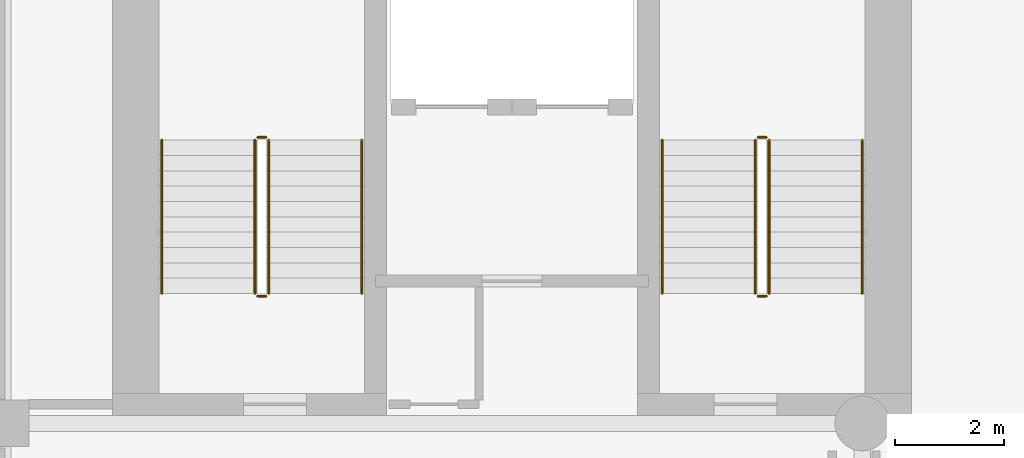
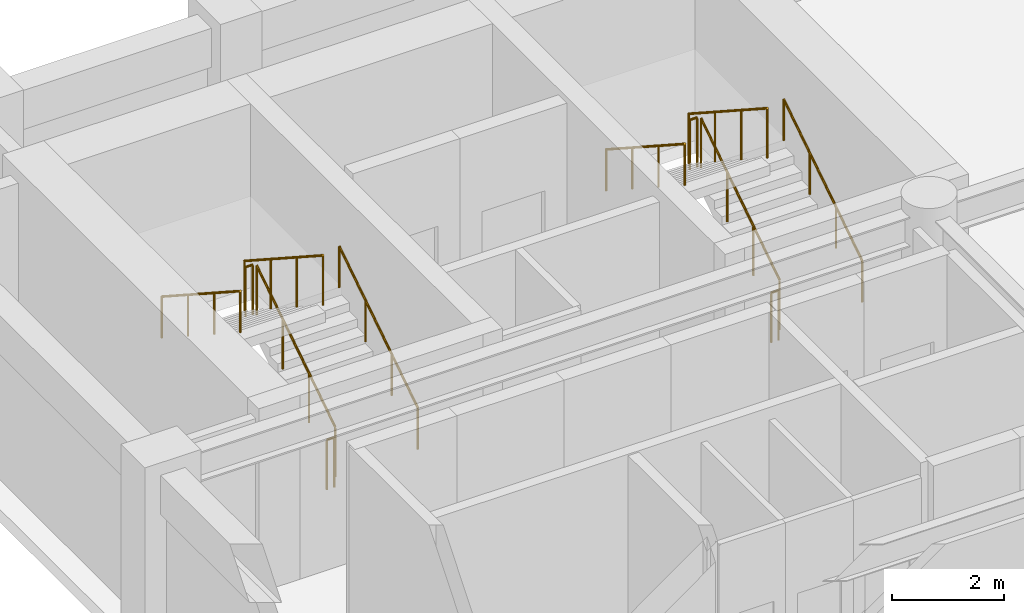
# One storey, part 7 of 8: 12 railings.
"""IFC4 building model written with IfcOpenShell, lengths in metres."""

from ifc_helpers import new_model, si_unit, direction, frame, origin, origin_2d, place, context, subcontext, project, spatial, circle, extrude, material, type_object, element, save


model = new_model("IFC4")

# Units and contexts
model_context = context("Model", 3, precision=1e-05, world=origin(), true_north=direction((0.0, 1.0)))
body_context = subcontext(model_context, "Body", "Model", "MODEL_VIEW")
ifc_project = project(units=[si_unit("LENGTHUNIT", "METRE"), si_unit("AREAUNIT", "SQUARE_METRE"), si_unit("VOLUMEUNIT", "CUBIC_METRE"), si_unit("PLANEANGLEUNIT", "RADIAN"), si_unit("MASSUNIT", "GRAM", prefix="KILO")], contexts=[model_context])

# Site, building, storey
site_placement = place(None, origin())
site = spatial("IfcSite", under=ifc_project, at=site_placement, CompositionType="ELEMENT")
building_placement = place(site_placement, origin())
building = spatial("IfcBuilding", under=site, at=building_placement, Name="Sulina Concourse Tower", CompositionType="ELEMENT")
storey_placement = place(building_placement, frame((0.0, 0.0, 108.60009765625)))
storey = spatial("IfcBuildingStorey", under=building, at=storey_placement, Name="L26", CompositionType="ELEMENT", Elevation=108.60009765625)

# Railings
ifc_material_1 = material(Name="Galvanised steel railing", Category="steel")
railing_type_1 = type_object("IfcRailingType", Name="Core Stair Steel Guardrail 1150mm", PredefinedType="GUARDRAIL", material=ifc_material_1)
railing_1_placement = place(storey_placement, frame((5.554931640625, 36.375, 0.181640625)))
element("IfcRailing", 1, at=railing_1_placement, inside=storey, type_object=railing_type_1, Name="L26 ST-1 stair guard 1", PredefinedType="GUARDRAIL", context=body_context, shape_type="SweptSolid", body=[
    extrude(circle(Radius=0.02392578125, at=origin_2d()), frame((0.0, 0.0, 1.076171875), z_axis=(0.0, 0.838672427954, 0.544636170843), x_axis=(-1.0, 0.0, 0.0)), (0.0, 0.0, 1.0), 3.338623046875),
    extrude(circle(Radius=0.02099609375, at=origin_2d()), origin(), (0.0, 0.0, 1.0), 1.052001953125),
    extrude(circle(Radius=0.02099609375, at=origin_2d()), frame((0.0, 0.933349609375, 0.606201171875)), (0.0, 0.0, 1.0), 1.052001953125),
    extrude(circle(Radius=0.02099609375, at=origin_2d()), frame((0.0, 1.86669921875, 1.212158203125)), (0.0, 0.0, 1.0), 1.052001953125),
    extrude(circle(Radius=0.02099609375, at=origin_2d()), frame((0.0, 2.800048828125, 1.818359375)), (0.0, 0.0, 1.0), 1.052001953125),
])
railing_2_placement = place(storey_placement, frame((5.5048828125, 39.22509765625, 2.0)))
element("IfcRailing", 2, at=railing_2_placement, inside=storey, type_object=railing_type_1, Name="L26 ST-1 stair guard 2", PredefinedType="GUARDRAIL", context=body_context, shape_type="SweptSolid", body=[
    extrude(circle(Radius=0.02392578125, at=origin_2d()), frame((0.0, 0.0, 1.076171875), z_axis=(-1.0, 0.0, 0.0), x_axis=(0.0, -1.0, 0.0)), (0.0, 0.0, 1.0), 0.14990234375),
    extrude(circle(Radius=0.02099609375, at=origin_2d()), origin(), (0.0, 0.0, 1.0), 1.052001953125),
    extrude(circle(Radius=0.02099609375, at=origin_2d()), frame((-0.14990234375, 0.0, 0.0)), (0.0, 0.0, 1.0), 1.052001953125),
])
railing_3_placement = place(storey_placement, frame((5.304931640625, 39.175048828125, 2.181640625)))
element("IfcRailing", 3, at=railing_3_placement, inside=storey, type_object=railing_type_1, Name="L26 ST-1 stair guard 3", PredefinedType="GUARDRAIL", context=body_context, shape_type="SweptSolid", body=[
    extrude(circle(Radius=0.02392578125, at=origin_2d()), frame((0.0, 0.0, 1.076171875), z_axis=(0.0, -0.838672427954, 0.544636170843), x_axis=(1.0, 0.0, 0.0)), (0.0, 0.0, 1.0), 3.338623046875),
    extrude(circle(Radius=0.02099609375, at=origin_2d()), origin(), (0.0, 0.0, 1.0), 1.052001953125),
    extrude(circle(Radius=0.02099609375, at=origin_2d()), frame((0.0, -0.933349609375, 0.606201171875)), (0.0, 0.0, 1.0), 1.052001953125),
    extrude(circle(Radius=0.02099609375, at=origin_2d()), frame((0.0, -1.86669921875, 1.212158203125)), (0.0, 0.0, 1.0), 1.052001953125),
    extrude(circle(Radius=0.02099609375, at=origin_2d()), frame((0.0, -2.800048828125, 1.818359375)), (0.0, 0.0, 1.0), 1.052001953125),
])
railing_4_placement = place(storey_placement, frame((5.5048828125, 36.324951171875, 0.0)))
element("IfcRailing", 4, at=railing_4_placement, inside=storey, type_object=railing_type_1, Name="L26 ST-1 stair guard 4", PredefinedType="GUARDRAIL", context=body_context, shape_type="SweptSolid", body=[
    extrude(circle(Radius=0.02392578125, at=origin_2d()), frame((0.0, 0.0, 1.076171875), z_axis=(-1.0, 0.0, 0.0), x_axis=(0.0, -1.0, 0.0)), (0.0, 0.0, 1.0), 0.14990234375),
    extrude(circle(Radius=0.02099609375, at=origin_2d()), origin(), (0.0, 0.0, 1.0), 1.052001953125),
    extrude(circle(Radius=0.02099609375, at=origin_2d()), frame((-0.14990234375, 0.0, 0.0)), (0.0, 0.0, 1.0), 1.052001953125),
])
railing_5_placement = place(storey_placement, frame((14.695068359375, 36.375, 0.181640625)))
element("IfcRailing", 5, at=railing_5_placement, inside=storey, type_object=railing_type_1, Name="L26 ST-2 stair guard 1", PredefinedType="GUARDRAIL", context=body_context, shape_type="SweptSolid", body=[
    extrude(circle(Radius=0.02392578125, at=origin_2d()), frame((0.0, 0.0, 1.076171875), z_axis=(0.0, 0.838672427954, 0.544636170843), x_axis=(-1.0, 0.0, 0.0)), (0.0, 0.0, 1.0), 3.338623046875),
    extrude(circle(Radius=0.02099609375, at=origin_2d()), origin(), (0.0, 0.0, 1.0), 1.052001953125),
    extrude(circle(Radius=0.02099609375, at=origin_2d()), frame((0.0, 0.933349609375, 0.606201171875)), (0.0, 0.0, 1.0), 1.052001953125),
    extrude(circle(Radius=0.02099609375, at=origin_2d()), frame((0.0, 1.86669921875, 1.212158203125)), (0.0, 0.0, 1.0), 1.052001953125),
    extrude(circle(Radius=0.02099609375, at=origin_2d()), frame((0.0, 2.800048828125, 1.818359375)), (0.0, 0.0, 1.0), 1.052001953125),
])
railing_6_placement = place(storey_placement, frame((14.64501953125, 39.22509765625, 2.0)))
element("IfcRailing", 6, at=railing_6_placement, inside=storey, type_object=railing_type_1, Name="L26 ST-2 stair guard 2", PredefinedType="GUARDRAIL", context=body_context, shape_type="SweptSolid", body=[
    extrude(circle(Radius=0.02392578125, at=origin_2d()), frame((0.0, 0.0, 1.076171875), z_axis=(-1.0, 0.0, 0.0), x_axis=(0.0, -1.0, 0.0)), (0.0, 0.0, 1.0), 0.14990234375),
    extrude(circle(Radius=0.02099609375, at=origin_2d()), origin(), (0.0, 0.0, 1.0), 1.052001953125),
    extrude(circle(Radius=0.02099609375, at=origin_2d()), frame((-0.14990234375, 0.0, 0.0)), (0.0, 0.0, 1.0), 1.052001953125),
])
railing_7_placement = place(storey_placement, frame((14.445068359375, 39.175048828125, 2.181640625)))
element("IfcRailing", 7, at=railing_7_placement, inside=storey, type_object=railing_type_1, Name="L26 ST-2 stair guard 3", PredefinedType="GUARDRAIL", context=body_context, shape_type="SweptSolid", body=[
    extrude(circle(Radius=0.02392578125, at=origin_2d()), frame((0.0, 0.0, 1.076171875), z_axis=(0.0, -0.838672427954, 0.544636170843), x_axis=(1.0, 0.0, 0.0)), (0.0, 0.0, 1.0), 3.338623046875),
    extrude(circle(Radius=0.02099609375, at=origin_2d()), origin(), (0.0, 0.0, 1.0), 1.052001953125),
    extrude(circle(Radius=0.02099609375, at=origin_2d()), frame((0.0, -0.933349609375, 0.606201171875)), (0.0, 0.0, 1.0), 1.052001953125),
    extrude(circle(Radius=0.02099609375, at=origin_2d()), frame((0.0, -1.86669921875, 1.212158203125)), (0.0, 0.0, 1.0), 1.052001953125),
    extrude(circle(Radius=0.02099609375, at=origin_2d()), frame((0.0, -2.800048828125, 1.818359375)), (0.0, 0.0, 1.0), 1.052001953125),
])
railing_8_placement = place(storey_placement, frame((14.64501953125, 36.324951171875, 0.0)))
element("IfcRailing", 8, at=railing_8_placement, inside=storey, type_object=railing_type_1, Name="L26 ST-2 stair guard 4", PredefinedType="GUARDRAIL", context=body_context, shape_type="SweptSolid", body=[
    extrude(circle(Radius=0.02392578125, at=origin_2d()), frame((0.0, 0.0, 1.076171875), z_axis=(-1.0, 0.0, 0.0), x_axis=(0.0, -1.0, 0.0)), (0.0, 0.0, 1.0), 0.14990234375),
    extrude(circle(Radius=0.02099609375, at=origin_2d()), origin(), (0.0, 0.0, 1.0), 1.052001953125),
    extrude(circle(Radius=0.02099609375, at=origin_2d()), frame((-0.14990234375, 0.0, 0.0)), (0.0, 0.0, 1.0), 1.052001953125),
])
ifc_material_2 = material(Name="Galvanised steel railing", Category="steel")
railing_type_2 = type_object("IfcRailingType", Name="Stair Wall Steel Handrail 920mm", PredefinedType="HANDRAIL", material=ifc_material_2)
railing_9_placement = place(storey_placement, frame((7.2548828125, 36.375, 0.181640625)))
element("IfcRailing", 9, at=railing_9_placement, inside=storey, type_object=railing_type_2, Name="L26 ST-1 stair handrail 1", PredefinedType="HANDRAIL", context=body_context, shape_type="SweptSolid", body=[
    extrude(circle(Radius=0.02392578125, at=origin_2d()), frame((0.0, 0.0, 0.89599609375), z_axis=(0.0, 0.838672427954, 0.544636170843), x_axis=(-1.0, 0.0, 0.0)), (0.0, 0.0, 1.0), 3.338623046875),
    extrude(circle(Radius=0.02099609375, at=origin_2d()), origin(), (0.0, 0.0, 1.0), 0.871826171875),
    extrude(circle(Radius=0.02099609375, at=origin_2d()), frame((0.0, 0.933349609375, 0.606201171875)), (0.0, 0.0, 1.0), 0.871826171875),
    extrude(circle(Radius=0.02099609375, at=origin_2d()), frame((0.0, 1.86669921875, 1.212158203125)), (0.0, 0.0, 1.0), 0.871826171875),
    extrude(circle(Radius=0.02099609375, at=origin_2d()), frame((0.0, 2.800048828125, 1.818359375)), (0.0, 0.0, 1.0), 0.871826171875),
])
railing_10_placement = place(storey_placement, frame((3.60498046875, 39.175048828125, 2.181640625)))
element("IfcRailing", 10, at=railing_10_placement, inside=storey, type_object=railing_type_2, Name="L26 ST-1 stair handrail 2", PredefinedType="HANDRAIL", context=body_context, shape_type="SweptSolid", body=[
    extrude(circle(Radius=0.02392578125, at=origin_2d()), frame((0.0, 0.0, 0.89599609375), z_axis=(0.0, -0.838672427954, 0.544636170843), x_axis=(1.0, 0.0, 0.0)), (0.0, 0.0, 1.0), 3.338623046875),
    extrude(circle(Radius=0.02099609375, at=origin_2d()), origin(), (0.0, 0.0, 1.0), 0.871826171875),
    extrude(circle(Radius=0.02099609375, at=origin_2d()), frame((0.0, -0.933349609375, 0.606201171875)), (0.0, 0.0, 1.0), 0.871826171875),
    extrude(circle(Radius=0.02099609375, at=origin_2d()), frame((0.0, -1.86669921875, 1.212158203125)), (0.0, 0.0, 1.0), 0.871826171875),
    extrude(circle(Radius=0.02099609375, at=origin_2d()), frame((0.0, -2.800048828125, 1.818359375)), (0.0, 0.0, 1.0), 0.871826171875),
])
railing_11_placement = place(storey_placement, frame((16.39501953125, 36.375, 0.181640625)))
element("IfcRailing", 11, at=railing_11_placement, inside=storey, type_object=railing_type_2, Name="L26 ST-2 stair handrail 1", PredefinedType="HANDRAIL", context=body_context, shape_type="SweptSolid", body=[
    extrude(circle(Radius=0.02392578125, at=origin_2d()), frame((0.0, 0.0, 0.89599609375), z_axis=(0.0, 0.838672427954, 0.544636170843), x_axis=(-1.0, 0.0, 0.0)), (0.0, 0.0, 1.0), 3.338623046875),
    extrude(circle(Radius=0.02099609375, at=origin_2d()), origin(), (0.0, 0.0, 1.0), 0.871826171875),
    extrude(circle(Radius=0.02099609375, at=origin_2d()), frame((0.0, 0.933349609375, 0.606201171875)), (0.0, 0.0, 1.0), 0.871826171875),
    extrude(circle(Radius=0.02099609375, at=origin_2d()), frame((0.0, 1.86669921875, 1.212158203125)), (0.0, 0.0, 1.0), 0.871826171875),
    extrude(circle(Radius=0.02099609375, at=origin_2d()), frame((0.0, 2.800048828125, 1.818359375)), (0.0, 0.0, 1.0), 0.871826171875),
])
railing_12_placement = place(storey_placement, frame((12.7451171875, 39.175048828125, 2.181640625)))
element("IfcRailing", 12, at=railing_12_placement, inside=storey, type_object=railing_type_2, Name="L26 ST-2 stair handrail 2", PredefinedType="HANDRAIL", context=body_context, shape_type="SweptSolid", body=[
    extrude(circle(Radius=0.02392578125, at=origin_2d()), frame((0.0, 0.0, 0.89599609375), z_axis=(0.0, -0.838672427954, 0.544636170843), x_axis=(1.0, 0.0, 0.0)), (0.0, 0.0, 1.0), 3.338623046875),
    extrude(circle(Radius=0.02099609375, at=origin_2d()), origin(), (0.0, 0.0, 1.0), 0.871826171875),
    extrude(circle(Radius=0.02099609375, at=origin_2d()), frame((0.0, -0.933349609375, 0.606201171875)), (0.0, 0.0, 1.0), 0.871826171875),
    extrude(circle(Radius=0.02099609375, at=origin_2d()), frame((0.0, -1.86669921875, 1.212158203125)), (0.0, 0.0, 1.0), 0.871826171875),
    extrude(circle(Radius=0.02099609375, at=origin_2d()), frame((0.0, -2.800048828125, 1.818359375)), (0.0, 0.0, 1.0), 0.871826171875),
])

save(model, "model.ifc")
